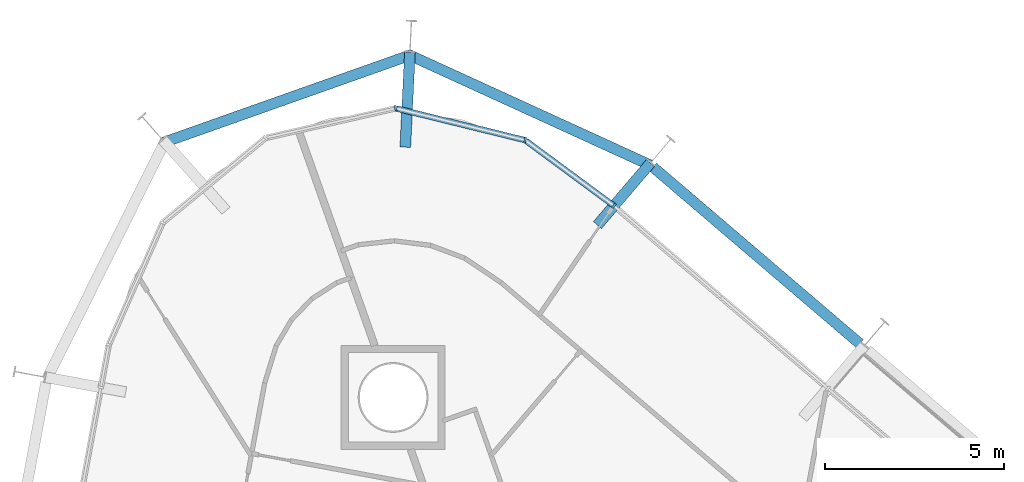
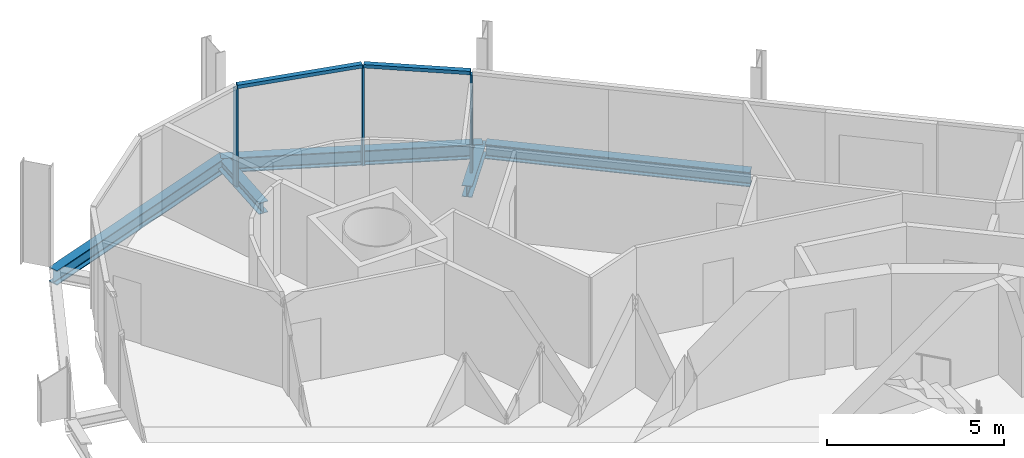
# One storey, part 7 of 17: 5 beams, 5 members, 1 element without a shape of its own.
"""IFC4 building model written with IfcOpenShell, lengths in metres."""

from ifc_helpers import new_model, si_unit, direction, frame, origin, origin_2d, place, context, subcontext, project, spatial, rectangle, i_section, extrude, material, layer, layer_set, material_profile, profile_set, type_object, element, aggregate, save


model = new_model("IFC4")

# Units and contexts
model_context = context("Model", 3, precision=1e-05, world=origin(), true_north=direction((0.0, 1.0)))
body_context = subcontext(model_context, "Body", "Model", "MODEL_VIEW")
ifc_project = project(units=[si_unit("LENGTHUNIT", "METRE"), si_unit("AREAUNIT", "SQUARE_METRE"), si_unit("VOLUMEUNIT", "CUBIC_METRE"), si_unit("PLANEANGLEUNIT", "RADIAN"), si_unit("MASSUNIT", "GRAM", prefix="KILO")], contexts=[model_context])

# Site, building, storey
site_placement = place(None, origin())
site = spatial("IfcSite", under=ifc_project, at=site_placement, CompositionType="ELEMENT")
building_placement = place(site_placement, origin())
building = spatial("IfcBuilding", under=site, at=building_placement, Name="Spindle Arch Residences", CompositionType="ELEMENT")
storey_placement = place(building_placement, frame((0.0, 0.0, 155.199951171875)))
storey = spatial("IfcBuildingStorey", under=building, at=storey_placement, Name="L38", CompositionType="ELEMENT", Elevation=155.199951171875)

# Curtain wall, members
ifc_material_1 = material(Name="Aluminium bronze unitised frame with tinted glass", Category="aluminium")
ifc_layer = layer(ifc_material_1, 0.159912109375)
ifc_layer_set = layer_set([ifc_layer], Name="CW-D corner wall on the fillet arcs")
curtain_wall_type = type_object("IfcCurtainWallType", Name="CW-D corner wall on the fillet arcs", PredefinedType="NOTDEFINED", material=ifc_layer_set)
curtain_wall_placement = place(storey_placement, origin())
curtain_wall = element("IfcCurtainWall", 1, at=curtain_wall_placement, inside=storey, type_object=curtain_wall_type, Name="CW-D L38 run 3", PredefinedType="NOTDEFINED")
ifc_material_2 = material(Name="Aluminium bronze anodised mullion", Category="aluminium")
ifc_material_profile_1 = material_profile(ifc_material_2, rectangle(XDim=0.159912109375, YDim=0.06005859375, at=origin_2d()), Name="MU 60x160")
ifc_profile_set_1 = profile_set([ifc_material_profile_1], Name="Aluminium bronze anodised mullion")
member_type_1 = type_object("IfcMemberType", Name="Bronze mullion 60x160", PredefinedType="MULLION", material=ifc_profile_set_1)
member_1_placement = place(storey_placement, frame((-0.86181640625, 25.213623046875, -0.3798828125), z_axis=(0.0, 0.0, 1.0), x_axis=(-0.594134492109, -0.804365716131, 0.0)))
member_1 = element("IfcMember", 2, at=member_1_placement, type_object=member_type_1, Name="CW-D mullion 00", PredefinedType="MULLION", context=body_context, shape_type="SweptSolid", body=[
    extrude(rectangle(XDim=0.159912109375, YDim=0.06005859375, at=origin_2d()), origin(), (0.0, 0.0, 1.0), 3.3798828125),
])
member_2_placement = place(storey_placement, frame((-3.3427734375, 27.046142578125, -0.3798828125), z_axis=(0.0, 0.0, 1.0), x_axis=(-0.239098401721, -0.970995342056, 0.0)))
member_2 = element("IfcMember", 3, at=member_2_placement, type_object=member_type_1, Name="CW-D mullion 01", PredefinedType="MULLION", context=body_context, shape_type="SweptSolid", body=[
    extrude(rectangle(XDim=0.159912109375, YDim=0.06005859375, at=origin_2d()), origin(), (0.0, 0.0, 1.0), 3.3798828125),
])
member_3_placement = place(storey_placement, frame((-6.96142578125, 27.937255859375, -0.3798828125), z_axis=(0.0, 0.0, 1.0), x_axis=(0.222115779633, -0.975020297449, 0.0)))
member_3 = element("IfcMember", 4, at=member_3_placement, type_object=member_type_1, Name="CW-D mullion 02", PredefinedType="MULLION", context=body_context, shape_type="SweptSolid", body=[
    extrude(rectangle(XDim=0.159912109375, YDim=0.06005859375, at=origin_2d()), origin(), (0.0, 0.0, 1.0), 3.3798828125),
])
ifc_material_3 = material(Name="Aluminium bronze anodised transom", Category="aluminium")
ifc_material_profile_2 = material_profile(ifc_material_3, rectangle(XDim=0.159912109375, YDim=0.1201171875, at=origin_2d()), Name="TR 120x160")
ifc_profile_set_2 = profile_set([ifc_material_profile_2], Name="Aluminium bronze anodised transom")
member_type_2 = type_object("IfcMemberType", Name="Bronze transom 120x160", PredefinedType="USERDEFINED", material=ifc_profile_set_2)
member_4_placement = place(storey_placement, frame((-0.8857421875, 25.2314453125, 3.06005859375), z_axis=(-0.804385788662, 0.594107316062, 0.0), x_axis=(-0.594107316062, -0.804385788662, 0.0)))
member_4 = element("IfcMember", 5, at=member_4_placement, type_object=member_type_2, Name="CW-D transom 00", ObjectType="TRANSOM", PredefinedType="USERDEFINED", context=body_context, shape_type="SweptSolid", body=[
    extrude(rectangle(XDim=0.159912109375, YDim=0.1201171875, at=origin_2d()), origin(), (0.0, 0.0, 1.0), 3.0244140625),
])
member_5_placement = place(storey_placement, frame((-3.371826171875, 27.053466796875, 3.06005859375), z_axis=(-0.970997997578, 0.239087617204, 0.0), x_axis=(-0.239087617204, -0.970997997578, 0.0)))
member_5 = element("IfcMember", 6, at=member_5_placement, type_object=member_type_2, Name="CW-D transom 01", ObjectType="TRANSOM", PredefinedType="USERDEFINED", context=body_context, shape_type="SweptSolid", body=[
    extrude(rectangle(XDim=0.159912109375, YDim=0.1201171875, at=origin_2d()), origin(), (0.0, 0.0, 1.0), 3.6669921875),
])
aggregate(curtain_wall, [member_1, member_4, member_2, member_5, member_3])

# Beams
ifc_material_4 = material(Name="Steel S460ML, intumescent coating R 120", Category="steel")
ifc_material_profile_3 = material_profile(ifc_material_4, i_section(OverallWidth=0.300048828125, OverallDepth=0.5, WebThickness=0.014404296875, FlangeThickness=0.028076171875, FilletRadius=0.027099609375, at=origin_2d()), Name="HEB 500")
ifc_profile_set_3 = profile_set([ifc_material_profile_3], Name="Steel S460ML, intumescent coating R 120")
beam_type_1 = type_object("IfcBeamType", Name="Exoskeleton edge beam HEB 500", PredefinedType="BEAM", material=ifc_profile_set_3)
beam_1_placement = place(storey_placement, frame((6.010009765625, 21.356689453125, -0.6298828125), z_axis=(-0.760418624565, 0.649433226294, 0.0), x_axis=(-0.649433226294, -0.760418624565, 0.0)))
element("IfcBeam", 7, at=beam_1_placement, inside=storey, type_object=beam_type_1, Name="Exoskeleton edge beam 9", PredefinedType="BEAM", context=body_context, shape_type="SweptSolid", body=[
    extrude(i_section(OverallWidth=0.300048828125, OverallDepth=0.5, WebThickness=0.014404296875, FlangeThickness=0.028076171875, FilletRadius=0.027099609375, at=origin_2d()), origin(), (0.0, 0.0, 1.0), 7.60009765625),
])
beam_2_placement = place(storey_placement, frame((0.151123046875, 26.34814453125, -0.6298828125), z_axis=(-0.909437531454, 0.415840566062, 0.0), x_axis=(-0.415840566062, -0.909437531454, 0.0)))
element("IfcBeam", 8, at=beam_2_placement, inside=storey, type_object=beam_type_1, Name="Exoskeleton edge beam 10", PredefinedType="BEAM", context=body_context, shape_type="SweptSolid", body=[
    extrude(i_section(OverallWidth=0.300048828125, OverallDepth=0.5, WebThickness=0.014404296875, FlangeThickness=0.028076171875, FilletRadius=0.027099609375, at=origin_2d()), origin(), (0.0, 0.0, 1.0), 7.42578125),
])
beam_3_placement = place(storey_placement, frame((-6.49853515625, 29.440185546875, -0.6298828125), z_axis=(-0.942642791069, -0.333803188189, 0.0), x_axis=(0.333803188189, -0.942642791069, 0.0)))
element("IfcBeam", 9, at=beam_3_placement, inside=storey, type_object=beam_type_1, Name="Exoskeleton edge beam 11", PredefinedType="BEAM", context=body_context, shape_type="SweptSolid", body=[
    extrude(i_section(OverallWidth=0.300048828125, OverallDepth=0.5, WebThickness=0.014404296875, FlangeThickness=0.028076171875, FilletRadius=0.027099609375, at=origin_2d()), origin(), (0.0, 0.0, 1.0), 7.403076171875),
])
ifc_material_5 = material(Name="Steel S460ML, intumescent coating R 120", Category="steel")
ifc_material_profile_4 = material_profile(ifc_material_5, i_section(OverallWidth=0.300048828125, OverallDepth=0.389892578125, WebThickness=0.010986328125, FlangeThickness=0.01904296875, FilletRadius=0.027099609375, at=origin_2d()), Name="HEA 400")
ifc_profile_set_4 = profile_set([ifc_material_profile_4], Name="Steel S460ML, intumescent coating R 120")
beam_type_2 = type_object("IfcBeamType", Name="Floor outrigger HEA 400", PredefinedType="BEAM", material=ifc_profile_set_4)
beam_4_placement = place(storey_placement, frame((0.157958984375, 26.407470703125, -0.574951171875), z_axis=(-0.649440691167, -0.76041224915, 0.0), x_axis=(0.76041224915, -0.649440691167, 0.0)))
element("IfcBeam", 10, at=beam_4_placement, inside=storey, type_object=beam_type_2, Name="Floor outrigger 10", PredefinedType="BEAM", context=body_context, shape_type="SweptSolid", body=[
    extrude(i_section(OverallWidth=0.300048828125, OverallDepth=0.389892578125, WebThickness=0.010986328125, FlangeThickness=0.01904296875, FilletRadius=0.027099609375, at=origin_2d()), origin(), (0.0, 0.0, 1.0), 2.279296875),
])
beam_5_placement = place(storey_placement, frame((-6.561279296875, 29.49609375, -0.574951171875), z_axis=(-0.048830159672, -0.998807096243, 0.0), x_axis=(0.998807096243, -0.048830159672, 0.0)))
element("IfcBeam", 11, at=beam_5_placement, inside=storey, type_object=beam_type_2, Name="Floor outrigger 11", PredefinedType="BEAM", context=body_context, shape_type="SweptSolid", body=[
    extrude(i_section(OverallWidth=0.300048828125, OverallDepth=0.389892578125, WebThickness=0.010986328125, FlangeThickness=0.01904296875, FilletRadius=0.027099609375, at=origin_2d()), origin(), (0.0, 0.0, 1.0), 2.64990234375),
])

save(model, "model.ifc")
